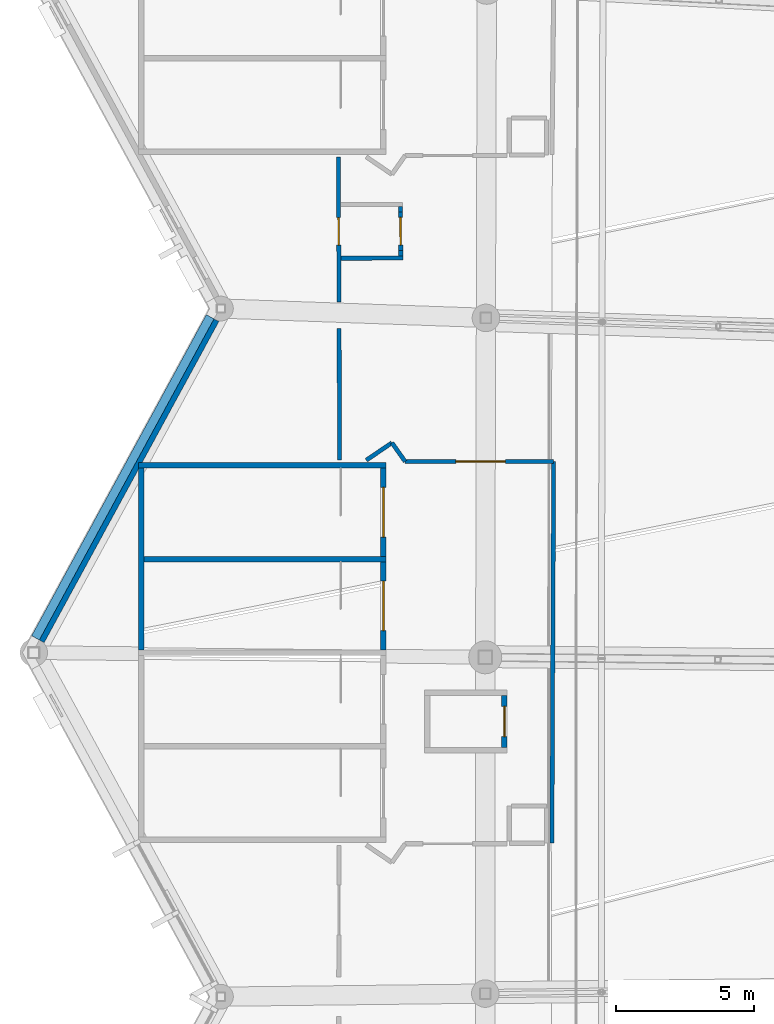
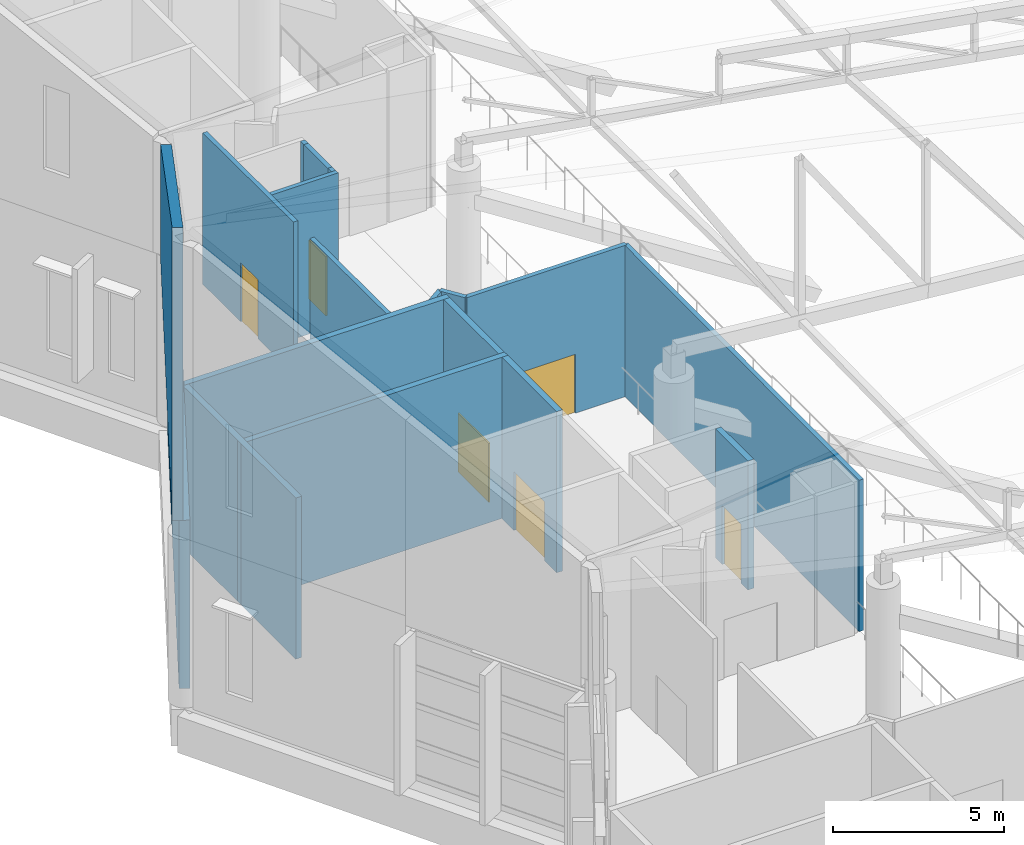
# One storey, part 252 of 344: 18 walls, 6 doors, 6 openings.
"""IFC4 building model written with IfcOpenShell, lengths in metres."""

from ifc_helpers import new_model, si_unit, direction, frame, frame_2d, origin, place, context, subcontext, project, spatial, polyline, rectangle, outline, extrude, material, layer, layer_set, type_object, element, fill, save


model = new_model("IFC4")

# Units and contexts
model_context = context("Model", 3, precision=1e-05, world=origin(), true_north=direction((0.0, 1.0)))
body_context = subcontext(model_context, "Body", "Model", "MODEL_VIEW")
ifc_project = project(units=[si_unit("LENGTHUNIT", "METRE"), si_unit("AREAUNIT", "SQUARE_METRE"), si_unit("VOLUMEUNIT", "CUBIC_METRE"), si_unit("PLANEANGLEUNIT", "RADIAN"), si_unit("MASSUNIT", "GRAM", prefix="KILO")], contexts=[model_context])

# Site, building, storey
site_placement = place(None, origin())
site = spatial("IfcSite", under=ifc_project, at=site_placement, CompositionType="ELEMENT")
building_placement = place(site_placement, origin())
building = spatial("IfcBuilding", under=site, at=building_placement, Name="Meseta Stadium", CompositionType="ELEMENT")
storey_placement = place(building_placement, frame((0.0, 0.0, 24.0)))
storey = spatial("IfcBuildingStorey", under=building, at=storey_placement, Name="L04", CompositionType="ELEMENT", Elevation=24.0)

# Walls
ifc_material_1 = material(Name="Concrete C40/50", Category="concrete")
ifc_layer_1 = layer(ifc_material_1, 0.199951171875)
ifc_layer_set_1 = layer_set([ifc_layer_1], Name="Core divider wall 200")
wall_type_1 = type_object("IfcWallType", Name="Core divider wall 200", PredefinedType="SHEAR", material=ifc_layer_set_1)
wall_1_placement = place(storey_placement, frame((-97.60009765625, 9.64990234375, 0.0), z_axis=(0.0, 0.0, 1.0), x_axis=(1.0, 0.0, 0.0)))
element("IfcWall", 1, at=wall_1_placement, inside=storey, type_object=wall_type_1, Name="Core 17 L04 stair A divider wall", PredefinedType="SHEAR", context=body_context, shape_type="SweptSolid", body=[
    extrude(rectangle(XDim=9.0, YDim=0.199951171875, at=frame_2d((4.5, 0.0))), origin(), (0.0, 0.0, 1.0), 5.75),
])
ifc_material_2 = material(Name="Concrete C40/50", Category="concrete")
ifc_layer_2 = layer(ifc_material_2, 0.199951171875)
ifc_layer_set_2 = layer_set([ifc_layer_2], Name="Core shaft wall 200")
wall_type_2 = type_object("IfcWallType", Name="Core shaft wall 200", PredefinedType="SHEAR", material=ifc_layer_set_2)
wall_2_placement = place(storey_placement, frame((-97.60009765625, 13.050048828125, 0.0), z_axis=(0.0, 0.0, 1.0), x_axis=(1.0, 0.0, 0.0)))
element("IfcWall", 2, at=wall_2_placement, inside=storey, type_object=wall_type_2, Name="Core 17 L04 stair wall A-side", PredefinedType="SHEAR", context=body_context, shape_type="SweptSolid", body=[
    extrude(rectangle(XDim=9.0, YDim=0.199951171875, at=frame_2d((4.5, 0.0))), origin(), (0.0, 0.0, 1.0), 5.75),
])
wall_3_placement = place(storey_placement, frame((-97.5, 12.949951171875, 0.0), z_axis=(0.0, 0.0, 1.0), x_axis=(0.0, -1.0, 0.0)))
element("IfcWall", 3, at=wall_3_placement, inside=storey, type_object=wall_type_2, Name="Core 17 L04 stair A outer end wall", PredefinedType="SHEAR", context=body_context, shape_type="SweptSolid", body=[
    extrude(rectangle(XDim=6.599853515625, YDim=0.199951171875, at=frame_2d((3.2998046875, 0.0))), origin(), (0.0, 0.0, 1.0), 5.75),
])

# Wall, opening, door
wall_4_placement = place(storey_placement, frame((-88.699951171875, 12.949951171875, 0.0), z_axis=(0.0, 0.0, 1.0), x_axis=(0.0, -1.0, 0.0)))
wall_4 = element("IfcWall", 4, at=wall_4_placement, inside=storey, type_object=wall_type_2, Name="Core 17 L04 stair A1 inner end wall", PredefinedType="SHEAR", context=body_context, shape_type="SweptSolid", body=[
    extrude(rectangle(XDim=3.199951171875, YDim=0.199951171875, at=frame_2d((1.60009765625, 0.0))), origin(), (0.0, 0.0, 1.0), 5.75),
])
opening_1_placement = place(wall_4_placement, frame((0.699951171875, 0.0, 0.0)))
opening_1 = element("IfcOpeningElement", 5, at=opening_1_placement, cuts=wall_4, Name="Opening D1509", PredefinedType="OPENING", context=body_context, shape_type="SweptSolid", body=[
    extrude(rectangle(XDim=1.800048828125, YDim=2.10009765625, at=frame_2d((0.89990234375, 1.050048828125))), frame((0.0, 0.10986328125, 0.0), z_axis=(0.0, -1.0, 0.0), x_axis=(1.0, 0.0, 0.0)), (0.0, 0.0, 1.0), 0.219970703125),
])
ifc_material_3 = material(Name="Steel", Category="steel")
door_type_1 = type_object("IfcDoorType", Name="Stair door 1800x2100", OperationType="DOUBLE_DOOR_SINGLE_SWING", PredefinedType="DOOR", material=ifc_material_3)
door_1_placement = place(opening_1_placement, origin())
door_1 = element("IfcDoor", 6, at=door_1_placement, inside=storey, type_object=door_type_1, Name="Stair A1 door 17 L04", OperationType="DOUBLE_DOOR_SINGLE_SWING", OverallHeight=2.10009765625, OverallWidth=1.800048828125, PredefinedType="DOOR", context=body_context, shape_type="SweptSolid", body=[
    extrude(rectangle(XDim=1.800048828125, YDim=2.10009765625, at=frame_2d((0.89990234375, 1.050048828125))), frame((0.0, 0.02490234375, 0.0), z_axis=(0.0, -1.0, 0.0), x_axis=(1.0, 0.0, 0.0)), (0.0, 0.0, 1.0), 0.050048828125),
])
fill(opening_1, door_1)

wall_5_placement = place(storey_placement, frame((-88.699951171875, 9.550048828125, 0.0), z_axis=(0.0, 0.0, 1.0), x_axis=(0.0, -1.0, 0.0)))
wall_5 = element("IfcWall", 7, at=wall_5_placement, inside=storey, type_object=wall_type_2, Name="Core 17 L04 stair A2 inner end wall", PredefinedType="SHEAR", context=body_context, shape_type="SweptSolid", body=[
    extrude(rectangle(XDim=3.199951171875, YDim=0.199951171875, at=frame_2d((1.60009765625, 0.0))), origin(), (0.0, 0.0, 1.0), 5.75),
])
opening_2_placement = place(wall_5_placement, frame((0.699951171875, 0.0, 0.0)))
opening_2 = element("IfcOpeningElement", 8, at=opening_2_placement, cuts=wall_5, Name="Opening D1508", PredefinedType="OPENING", context=body_context, shape_type="SweptSolid", body=[
    extrude(rectangle(XDim=1.800048828125, YDim=2.10009765625, at=frame_2d((0.89990234375, 1.050048828125))), frame((0.0, 0.10986328125, 0.0), z_axis=(0.0, -1.0, 0.0), x_axis=(1.0, 0.0, 0.0)), (0.0, 0.0, 1.0), 0.219970703125),
])
door_2_placement = place(opening_2_placement, origin())
door_2 = element("IfcDoor", 9, at=door_2_placement, inside=storey, type_object=door_type_1, Name="Stair A2 door 17 L04", OperationType="DOUBLE_DOOR_SINGLE_SWING", OverallHeight=2.10009765625, OverallWidth=1.800048828125, PredefinedType="DOOR", context=body_context, shape_type="SweptSolid", body=[
    extrude(rectangle(XDim=1.800048828125, YDim=2.10009765625, at=frame_2d((0.89990234375, 1.050048828125))), frame((0.0, 0.02490234375, 0.0), z_axis=(0.0, -1.0, 0.0), x_axis=(1.0, 0.0, 0.0)), (0.0, 0.0, 1.0), 0.050048828125),
])
fill(opening_2, door_2)

wall_6_placement = place(storey_placement, frame((-84.300048828125, 4.699951171875, 0.0), z_axis=(0.0, 0.0, 1.0), x_axis=(0.0, -1.0, 0.0)))
wall_6 = element("IfcWall", 10, at=wall_6_placement, inside=storey, type_object=wall_type_2, Name="Core 17 L04 lift shaft front wall", PredefinedType="SHEAR", context=body_context, shape_type="SweptSolid", body=[
    extrude(rectangle(XDim=1.89990234375, YDim=0.199951171875, at=frame_2d((0.949951171875, 0.0))), origin(), (0.0, 0.0, 1.0), 4.60009765625),
])
opening_3_placement = place(wall_6_placement, frame((0.39990234375, 0.0, 0.0)))
opening_3 = element("IfcOpeningElement", 11, at=opening_3_placement, cuts=wall_6, Name="Opening LD96", PredefinedType="OPENING", context=body_context, shape_type="SweptSolid", body=[
    extrude(rectangle(XDim=1.10009765625, YDim=2.10009765625, at=frame_2d((0.550048828125, 1.050048828125))), frame((0.0, 0.10986328125, 0.0), z_axis=(0.0, -1.0, 0.0), x_axis=(1.0, 0.0, 0.0)), (0.0, 0.0, 1.0), 0.219970703125),
])
ifc_material_4 = material(Name="Steel", Category="steel")
door_type_2 = type_object("IfcDoorType", Name="Lift landing door 1100x2100", OperationType="SLIDING_TO_LEFT", PredefinedType="DOOR", material=ifc_material_4)
door_3_placement = place(opening_3_placement, origin())
door_3 = element("IfcDoor", 12, at=door_3_placement, inside=storey, type_object=door_type_2, Name="Lift landing door LD96", OperationType="SLIDING_TO_RIGHT", OverallHeight=2.10009765625, OverallWidth=1.10009765625, PredefinedType="DOOR", context=body_context, shape_type="SweptSolid", body=[
    extrude(rectangle(XDim=1.10009765625, YDim=2.10009765625, at=frame_2d((0.550048828125, 1.050048828125))), frame((0.0, 0.02490234375, 0.0), z_axis=(0.0, -1.0, 0.0), x_axis=(1.0, 0.0, 0.0)), (0.0, 0.0, 1.0), 0.050048828125),
])
fill(opening_3, door_3)

ifc_material_5 = material(Name="Masonry blockwork", Category="masonry")
ifc_layer_3 = layer(ifc_material_5, 0.14990234375)
ifc_layer_set_3 = layer_set([ifc_layer_3], Name="Partition 150")
wall_type_3 = type_object("IfcWallType", Name="Partition 150", PredefinedType="PARTITIONING", material=ifc_layer_set_3)
wall_7_placement = place(storey_placement, frame((-90.330322265625, 24.25, 0.0), z_axis=(0.0, 0.0, 1.0), x_axis=(0.003805253437, -0.999992759997, 0.0)))
wall_7 = element("IfcWall", 13, at=wall_7_placement, inside=storey, type_object=wall_type_3, Name="Partition L04 L04-cell15-1-0", PredefinedType="PARTITIONING", context=body_context, shape_type="SweptSolid", body=[
    extrude(rectangle(XDim=5.260986328125, YDim=0.14990234375, at=frame_2d((2.63037109375, 0.0))), origin(), (0.0, 0.0, 1.0), 5.39990234375),
])
opening_4_placement = place(wall_7_placement, frame((2.199951171875, 0.0, 0.0)))
opening_4 = element("IfcOpeningElement", 14, at=opening_4_placement, cuts=wall_7, Name="Opening D1498", PredefinedType="OPENING", context=body_context, shape_type="SweptSolid", body=[
    extrude(rectangle(XDim=1.0, YDim=2.10009765625, at=frame_2d((0.5, 1.050048828125))), frame((0.0, 0.0849609375, 0.0), z_axis=(0.0, -1.0, 0.0), x_axis=(1.0, 0.0, 0.0)), (0.0, 0.0, 1.0), 0.169921875),
])
ifc_material_6 = material(Name="Steel", Category="steel")
door_type_3 = type_object("IfcDoorType", Name="Fire door 1000x2100 EI2 60", OperationType="NOTDEFINED", PredefinedType="DOOR", material=ifc_material_6)
door_4_placement = place(opening_4_placement, origin())
door_4 = element("IfcDoor", 15, at=door_4_placement, inside=storey, type_object=door_type_3, Name="Room door L04 L04-cell15-1-0", OperationType="SINGLE_SWING_RIGHT", OverallHeight=2.10009765625, OverallWidth=1.0, PredefinedType="DOOR", context=body_context, shape_type="SweptSolid", body=[
    extrude(rectangle(XDim=1.0, YDim=2.10009765625, at=frame_2d((0.5, 1.050048828125))), frame((0.0, 0.02490234375, 0.0), z_axis=(0.0, -1.0, 0.0), x_axis=(1.0, 0.0, 0.0)), (0.0, 0.0, 1.0), 0.050048828125),
])
fill(opening_4, door_4)

# Walls
wall_8_placement = place(storey_placement, frame((-90.306640625, 18.03271484375, 0.0), z_axis=(0.0, 0.0, 1.0), x_axis=(0.003777410518, -0.999992865559, 0.0)))
element("IfcWall", 16, at=wall_8_placement, inside=storey, type_object=wall_type_3, Name="Partition L04 L04-cell15-1-0", PredefinedType="PARTITIONING", context=body_context, shape_type="SweptSolid", body=[
    extrude(rectangle(XDim=4.78271484375, YDim=0.14990234375, at=frame_2d((2.391357421875, 0.0))), origin(), (0.0, 0.0, 1.0), 5.39990234375),
])
wall_9_placement = place(storey_placement, frame((-82.5751953125, -0.660400390625, 0.0), z_axis=(0.0, 0.0, 1.0), x_axis=(0.004493188362, 0.999989905578, 0.0)))
element("IfcWall", 17, at=wall_9_placement, inside=storey, type_object=wall_type_3, Name="Stair vestibule wall L04 core 17", PredefinedType="PARTITIONING", context=body_context, shape_type="SweptSolid", body=[
    extrude(rectangle(XDim=13.855712890625, YDim=0.14990234375, at=frame_2d((6.927734375, 0.0))), origin(), (0.0, 0.0, 1.0), 5.39990234375),
])

# Wall, opening, door
wall_10_placement = place(storey_placement, frame((-82.512939453125, 13.195068359375, 0.0), z_axis=(0.0, 0.0, 1.0), x_axis=(-0.999999998977, 4.5242727e-05, 0.0)))
wall_10 = element("IfcWall", 18, at=wall_10_placement, inside=storey, type_object=wall_type_3, Name="Stair vestibule wall L04 core 17", PredefinedType="PARTITIONING", context=body_context, shape_type="SweptSolid", body=[
    extrude(rectangle(XDim=5.396240234375, YDim=0.14990234375, at=frame_2d((2.6982421875, 0.0))), origin(), (0.0, 0.0, 1.0), 5.39990234375),
])
opening_5_placement = place(wall_10_placement, frame((1.75, 0.0, 0.0)))
opening_5 = element("IfcOpeningElement", 19, at=opening_5_placement, cuts=wall_10, Name="Opening D1533", PredefinedType="OPENING", context=body_context, shape_type="SweptSolid", body=[
    extrude(rectangle(XDim=1.800048828125, YDim=2.10009765625, at=frame_2d((0.89990234375, 1.050048828125))), frame((0.0, 0.0849609375, 0.0), z_axis=(0.0, -1.0, 0.0), x_axis=(1.0, 0.0, 0.0)), (0.0, 0.0, 1.0), 0.169921875),
])
ifc_material_7 = material(Name="Steel", Category="steel")
door_type_4 = type_object("IfcDoorType", Name="Fire double door 1800x2100 EI2 60", OperationType="DOUBLE_DOOR_SINGLE_SWING", PredefinedType="DOOR", material=ifc_material_7)
door_5_placement = place(opening_5_placement, origin())
door_5 = element("IfcDoor", 20, at=door_5_placement, inside=storey, type_object=door_type_4, Name="Stair vestibule door L04 core 17", OperationType="DOUBLE_DOOR_SINGLE_SWING", OverallHeight=2.10009765625, OverallWidth=1.800048828125, PredefinedType="DOOR", context=body_context, shape_type="SweptSolid", body=[
    extrude(rectangle(XDim=1.800048828125, YDim=2.10009765625, at=frame_2d((0.89990234375, 1.050048828125))), frame((0.0, 0.02490234375, 0.0), z_axis=(0.0, -1.0, 0.0), x_axis=(1.0, 0.0, 0.0)), (0.0, 0.0, 1.0), 0.050048828125),
])
fill(opening_5, door_5)

# Walls
wall_11_placement = place(storey_placement, frame((-87.9091796875, 13.1953125, 0.0), z_axis=(0.0, 0.0, 1.0), x_axis=(-0.576556215764, 0.817057482717, 0.0)))
element("IfcWall", 21, at=wall_11_placement, inside=storey, type_object=wall_type_3, Name="Stair vestibule wall L04 core 17", PredefinedType="PARTITIONING", context=body_context, shape_type="SweptSolid", body=[
    extrude(rectangle(XDim=0.830322265625, YDim=0.14990234375, at=frame_2d((0.4150390625, 0.0))), origin(), (0.0, 0.0, 1.0), 5.39990234375),
])
wall_12_placement = place(storey_placement, frame((-88.387939453125, 13.873779296875, 0.0), z_axis=(0.0, 0.0, 1.0), x_axis=(-0.826680698762, -0.562671327059, 0.0)))
element("IfcWall", 22, at=wall_12_placement, inside=storey, type_object=wall_type_3, Name="Stair vestibule wall L04 core 17", PredefinedType="PARTITIONING", context=body_context, shape_type="SweptSolid", body=[
    extrude(rectangle(XDim=1.127197265625, YDim=0.14990234375, at=frame_2d((0.5634765625, 0.0))), origin(), (0.0, 0.0, 1.0), 5.39990234375),
])
wall_13_placement = place(storey_placement, frame((-90.2412109375, 20.5751953125, 0.0), z_axis=(0.0, 0.0, 1.0), x_axis=(0.999992370693, 0.003906220198, 0.0)))
element("IfcWall", 23, at=wall_13_placement, inside=storey, type_object=wall_type_3, Name="Partition L04 L04-cell15-1-0 vestibule", PredefinedType="PARTITIONING", context=body_context, shape_type="SweptSolid", body=[
    extrude(rectangle(XDim=2.25, YDim=0.14990234375, at=frame_2d((1.125, 0.0))), origin(), (0.0, 0.0, 1.0), 5.39990234375),
])
wall_14_placement = place(storey_placement, frame((-88.073486328125, 22.45849609375, 0.0), z_axis=(0.0, 0.0, 1.0), x_axis=(0.003662979089, -0.99999329127, 0.0)))
element("IfcWall", 24, at=wall_14_placement, inside=storey, type_object=wall_type_3, Name="Partition L04 L04-cell15-1-0 vestibule", PredefinedType="PARTITIONING", context=body_context, shape_type="SweptSolid", body=[
    extrude(rectangle(XDim=0.199951171875, YDim=0.14990234375, at=frame_2d((0.10009765625, 0.0))), origin(), (0.0, 0.0, 1.0), 5.39990234375),
])

# Wall, opening, door
wall_15_placement = place(storey_placement, frame((-88.07275390625, 22.258544921875, 0.0), z_axis=(0.0, 0.0, 1.0), x_axis=(0.003836734927, -0.999992639705, 0.0)))
wall_15 = element("IfcWall", 25, at=wall_15_placement, inside=storey, type_object=wall_type_3, Name="Partition L04 L04-cell15-1-0 vestibule", PredefinedType="PARTITIONING", context=body_context, shape_type="SweptSolid", body=[
    extrude(rectangle(XDim=1.39990234375, YDim=0.14990234375, at=frame_2d((0.699951171875, 0.0))), origin(), (0.0, 0.0, 1.0), 5.39990234375),
])
opening_6_placement = place(wall_15_placement, frame((0.199951171875, 0.0, 0.0)))
opening_6 = element("IfcOpeningElement", 26, at=opening_6_placement, cuts=wall_15, Name="Opening D1519", PredefinedType="OPENING", context=body_context, shape_type="SweptSolid", body=[
    extrude(rectangle(XDim=1.0, YDim=2.10009765625, at=frame_2d((0.5, 1.050048828125))), frame((0.0, 0.0849609375, 0.0), z_axis=(0.0, -1.0, 0.0), x_axis=(1.0, 0.0, 0.0)), (0.0, 0.0, 1.0), 0.169921875),
])
door_6_placement = place(opening_6_placement, origin())
door_6 = element("IfcDoor", 27, at=door_6_placement, inside=storey, type_object=door_type_3, Name="Vestibule door L04 L04-cell15-1-0", OperationType="SINGLE_SWING_RIGHT", OverallHeight=2.10009765625, OverallWidth=1.0, PredefinedType="DOOR", context=body_context, shape_type="SweptSolid", body=[
    extrude(rectangle(XDim=1.0, YDim=2.10009765625, at=frame_2d((0.5, 1.050048828125))), frame((0.0, 0.02490234375, 0.0), z_axis=(0.0, -1.0, 0.0), x_axis=(1.0, 0.0, 0.0)), (0.0, 0.0, 1.0), 0.050048828125),
])
fill(opening_6, door_6)

# Walls
wall_16_placement = place(storey_placement, frame((-88.0673828125, 20.858642578125, 0.0), z_axis=(0.0, 0.0, 1.0), x_axis=(0.003662979089, -0.99999329127, 0.0)))
element("IfcWall", 28, at=wall_16_placement, inside=storey, type_object=wall_type_3, Name="Partition L04 L04-cell15-1-0 vestibule", PredefinedType="PARTITIONING", context=body_context, shape_type="SweptSolid", body=[
    extrude(rectangle(XDim=0.199951171875, YDim=0.14990234375, at=frame_2d((0.10009765625, 0.0))), origin(), (0.0, 0.0, 1.0), 5.39990234375),
])
ifc_material_8 = material(Name="White precast concrete C40/50", Category="concrete")
ifc_layer_4 = layer(ifc_material_8, 0.320068359375)
ifc_layer_set_4 = layer_set([ifc_layer_4], Name="Pleated fascia panel 320 raked")
wall_type_4 = type_object("IfcWallType", Name="Pleated fascia panel 320 raked", PredefinedType="SOLIDWALL", material=ifc_layer_set_4)
wall_17_placement = place(storey_placement, frame((-101.3369140625, 6.78466796875, 6.0), z_axis=(0.0, 0.0, 1.0), x_axis=(0.477867771117, 0.878431780691, 0.0)))
element("IfcWall", 29, at=wall_17_placement, inside=storey, type_object=wall_type_4, Name="Pleated fascia panel L04 F31", PredefinedType="SOLIDWALL", context=body_context, shape_type="SweptSolid", body=[
    extrude(outline(polyline([(0.0, 0.0), (13.2802734375, 0.0), (13.2802734375, 4.10498046875), (0.0, 10.451171875), (0.0, 0.0)])), frame((0.0, 0.16015625, 0.0), z_axis=(0.0, -1.0, 0.0), x_axis=(1.0, 0.0, 0.0)), (0.0, 0.0, 1.0), 0.320068359375),
])
ifc_material_9 = material(Name="White precast concrete C40/50", Category="concrete")
ifc_layer_5 = layer(ifc_material_9, 0.320068359375)
ifc_layer_set_5 = layer_set([ifc_layer_5], Name="Pleated panel wall 320")
wall_type_5 = type_object("IfcWallType", Name="Pleated panel wall 320", PredefinedType="SOLIDWALL", material=ifc_layer_set_5)
wall_18_placement = place(storey_placement, frame((-101.1611328125, 6.68896484375, 0.0), z_axis=(0.0, 0.0, 1.0), x_axis=(0.477867771117, 0.878431780691, 0.0)))
element("IfcWall", 30, at=wall_18_placement, inside=storey, type_object=wall_type_5, Name="Pleated facade panel L04 F31", PredefinedType="SOLIDWALL", context=body_context, shape_type="SweptSolid", body=[
    extrude(rectangle(XDim=13.2802734375, YDim=0.320068359375, at=frame_2d((6.64013671875, 0.0))), origin(), (0.0, 0.0, 1.0), 6.0),
])

save(model, "model.ifc")
